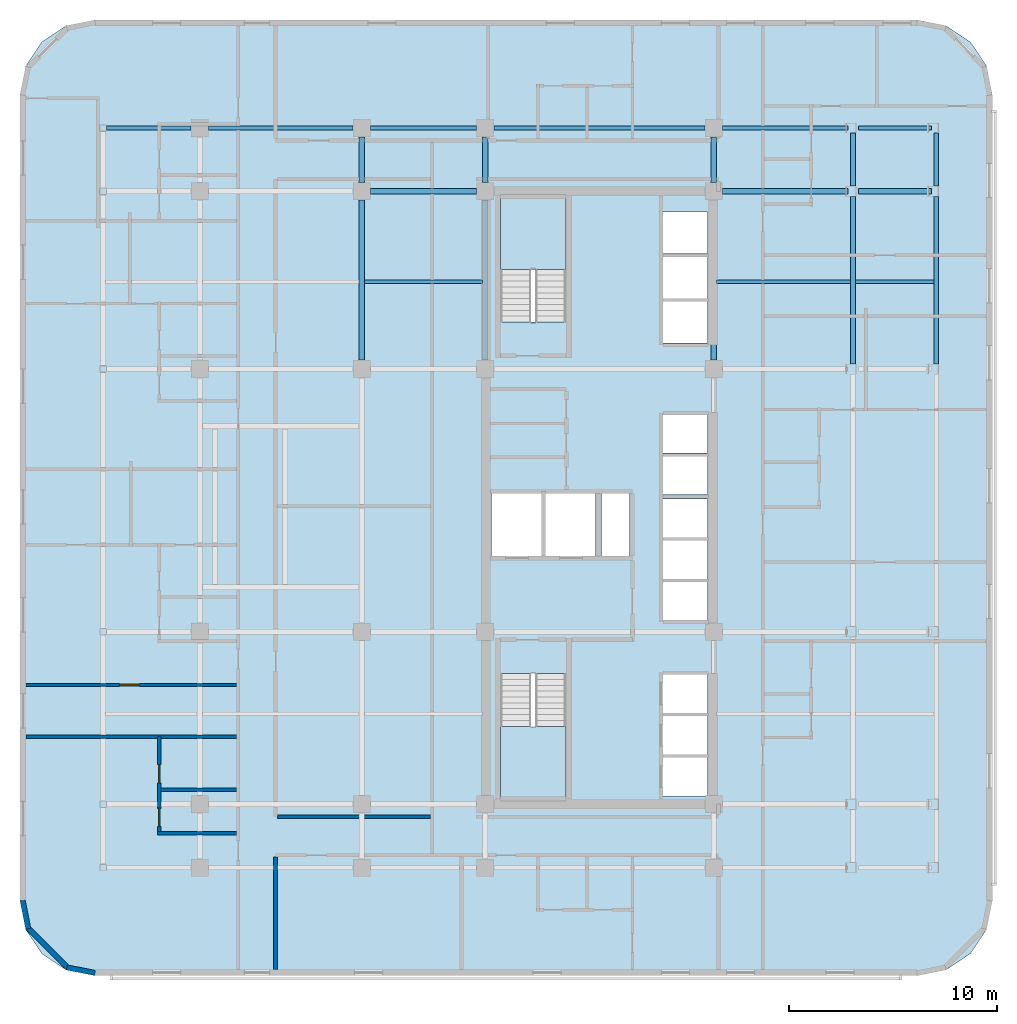
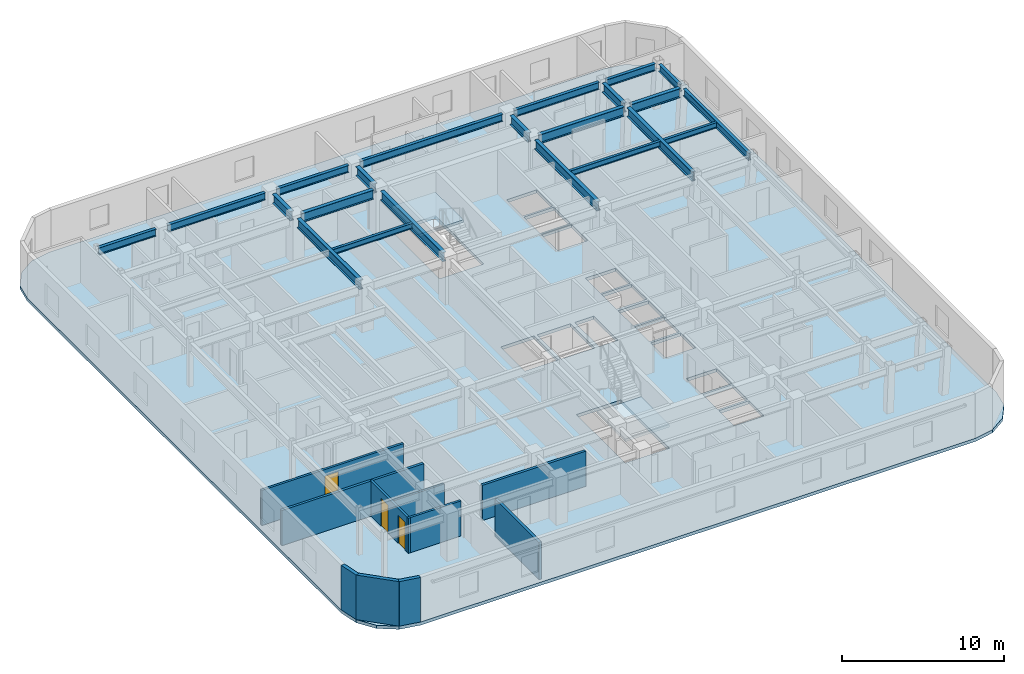
# One storey, part 5 of 14: 22 beams, 10 walls, 3 doors, 3 slabs, 3 openings, 2 elements without a shape of their own.
"""IFC4 building model written with IfcOpenShell, lengths in metres."""

from ifc_helpers import new_model, si_unit, direction, frame, frame_2d, origin, origin_2d, place, context, subcontext, project, spatial, polyline, rectangle, i_section, outline, extrude, material, layer, layer_set, material_profile, profile_set, type_object, element, fill, aggregate, save


model = new_model("IFC4")

# Units and contexts
model_context = context("Model", 3, precision=1e-05, world=origin(), true_north=direction((0.0, 1.0)))
body_context = subcontext(model_context, "Body", "Model", "MODEL_VIEW")
ifc_project = project(units=[si_unit("LENGTHUNIT", "METRE"), si_unit("AREAUNIT", "SQUARE_METRE"), si_unit("VOLUMEUNIT", "CUBIC_METRE"), si_unit("PLANEANGLEUNIT", "RADIAN"), si_unit("MASSUNIT", "GRAM", prefix="KILO")], contexts=[model_context])

# Site, building, storey
site_placement = place(None, origin())
site = spatial("IfcSite", under=ifc_project, at=site_placement, CompositionType="ELEMENT")
building_placement = place(site_placement, origin())
building = spatial("IfcBuilding", under=site, at=building_placement, Name="Ochreholt Gables", CompositionType="ELEMENT")
storey_placement = place(building_placement, frame((0.0, 0.0, 52.800048828125)))
storey = spatial("IfcBuildingStorey", under=building, at=storey_placement, Name="L13", CompositionType="ELEMENT", Elevation=52.800048828125)

# Beams
ifc_material_1 = material(Name="Steel CSA G40.21 350W", Category="steel")
ifc_material_profile_1 = material_profile(ifc_material_1, i_section(OverallWidth=0.256103515625, OverallDepth=0.693115234375, WebThickness=0.014404296875, FlangeThickness=0.023681640625, at=origin_2d()), Name="W690X170")
ifc_profile_set_1 = profile_set([ifc_material_profile_1], Name="Steel CSA G40.21 350W")
beam_type_1 = type_object("IfcBeamType", Name="BM-G-W690", PredefinedType="BEAM", material=ifc_profile_set_1)
beam_1_placement = place(storey_placement, frame((18.674560546875, 38.75, 3.013427734375), z_axis=(1.0, 0.0, 0.0), x_axis=(0.0, 1.0, 0.0)))
element("IfcBeam", 1, at=beam_1_placement, inside=storey, type_object=beam_type_1, Name="L13 Beam TBG-L13-W3C1-Y5", PredefinedType="BEAM", context=body_context, shape_type="SweptSolid", body=[
    extrude(i_section(OverallWidth=0.256103515625, OverallDepth=0.693115234375, WebThickness=0.014404296875, FlangeThickness=0.023681640625, at=origin_2d()), origin(), (0.0, 0.0, 1.0), 5.100830078125),
])
beam_2_placement = place(storey_placement, frame((35.62451171875, 38.75, 3.013427734375), z_axis=(1.0, 0.0, 0.0), x_axis=(0.0, 1.0, 0.0)))
element("IfcBeam", 2, at=beam_2_placement, inside=storey, type_object=beam_type_1, Name="L13 Beam TBG-L13-C2EM-Y5", PredefinedType="BEAM", context=body_context, shape_type="SweptSolid", body=[
    extrude(i_section(OverallWidth=0.256103515625, OverallDepth=0.693115234375, WebThickness=0.014404296875, FlangeThickness=0.023681640625, at=origin_2d()), origin(), (0.0, 0.0, 1.0), 6.035888671875),
])
beam_3_placement = place(storey_placement, frame((42.15966796875, 38.75, 3.013427734375), z_axis=(1.0, 0.0, 0.0), x_axis=(0.0, 1.0, 0.0)))
element("IfcBeam", 3, at=beam_3_placement, inside=storey, type_object=beam_type_1, Name="L13 Beam TBG-L13-EMEE-Y5", PredefinedType="BEAM", context=body_context, shape_type="SweptSolid", body=[
    extrude(i_section(OverallWidth=0.256103515625, OverallDepth=0.693115234375, WebThickness=0.014404296875, FlangeThickness=0.023681640625, at=origin_2d()), origin(), (0.0, 0.0, 1.0), 3.518798828125),
])
beam_4_placement = place(storey_placement, frame((18.25, 30.62451171875, 3.013427734375), z_axis=(0.0, 1.0, 0.0), x_axis=(-1.0, 0.0, 0.0)))
element("IfcBeam", 4, at=beam_4_placement, inside=storey, type_object=beam_type_1, Name="L13 Beam TBN-L13-W3-Y4Y5", PredefinedType="BEAM", context=body_context, shape_type="SweptSolid", body=[
    extrude(i_section(OverallWidth=0.256103515625, OverallDepth=0.693115234375, WebThickness=0.014404296875, FlangeThickness=0.023681640625, at=origin_2d()), origin(), (0.0, 0.0, 1.0), 7.700927734375),
])
beam_5_placement = place(storey_placement, frame((18.25, 39.174560546875, 3.013427734375), z_axis=(0.0, 1.0, 0.0), x_axis=(-1.0, 0.0, 0.0)))
element("IfcBeam", 5, at=beam_5_placement, inside=storey, type_object=beam_type_1, Name="L13 Beam TBN-L13-W3-Y5Y6", PredefinedType="BEAM", context=body_context, shape_type="SweptSolid", body=[
    extrude(i_section(OverallWidth=0.256103515625, OverallDepth=0.693115234375, WebThickness=0.014404296875, FlangeThickness=0.023681640625, at=origin_2d()), origin(), (0.0, 0.0, 1.0), 2.200927734375),
])
beam_6_placement = place(storey_placement, frame((24.199951171875, 30.62451171875, 3.013427734375), z_axis=(0.0, 1.0, 0.0), x_axis=(-1.0, 0.0, 0.0)))
element("IfcBeam", 6, at=beam_6_placement, inside=storey, type_object=beam_type_1, Name="L13 Beam TBN-L13-C1-Y4Y5", PredefinedType="BEAM", context=body_context, shape_type="SweptSolid", body=[
    extrude(i_section(OverallWidth=0.256103515625, OverallDepth=0.693115234375, WebThickness=0.014404296875, FlangeThickness=0.023681640625, at=origin_2d()), origin(), (0.0, 0.0, 1.0), 7.700927734375),
])
beam_7_placement = place(storey_placement, frame((24.199951171875, 39.174560546875, 3.013427734375), z_axis=(0.0, 1.0, 0.0), x_axis=(-1.0, 0.0, 0.0)))
element("IfcBeam", 7, at=beam_7_placement, inside=storey, type_object=beam_type_1, Name="L13 Beam TBN-L13-C1-Y5Y6", PredefinedType="BEAM", context=body_context, shape_type="SweptSolid", body=[
    extrude(i_section(OverallWidth=0.256103515625, OverallDepth=0.693115234375, WebThickness=0.014404296875, FlangeThickness=0.023681640625, at=origin_2d()), origin(), (0.0, 0.0, 1.0), 2.200927734375),
])
beam_8_placement = place(storey_placement, frame((35.199951171875, 30.62451171875, 3.013427734375), z_axis=(0.0, 1.0, 0.0), x_axis=(-1.0, 0.0, 0.0)))
element("IfcBeam", 8, at=beam_8_placement, inside=storey, type_object=beam_type_1, Name="L13 Beam TBN-L13-C2-Y4Y5", PredefinedType="BEAM", context=body_context, shape_type="SweptSolid", body=[
    extrude(i_section(OverallWidth=0.256103515625, OverallDepth=0.693115234375, WebThickness=0.014404296875, FlangeThickness=0.023681640625, at=origin_2d()), origin(), (0.0, 0.0, 1.0), 7.700927734375),
])
beam_9_placement = place(storey_placement, frame((35.199951171875, 39.174560546875, 3.013427734375), z_axis=(0.0, 1.0, 0.0), x_axis=(-1.0, 0.0, 0.0)))
element("IfcBeam", 9, at=beam_9_placement, inside=storey, type_object=beam_type_1, Name="L13 Beam TBN-L13-C2-Y5Y6", PredefinedType="BEAM", context=body_context, shape_type="SweptSolid", body=[
    extrude(i_section(OverallWidth=0.256103515625, OverallDepth=0.693115234375, WebThickness=0.014404296875, FlangeThickness=0.023681640625, at=origin_2d()), origin(), (0.0, 0.0, 1.0), 2.200927734375),
])
beam_10_placement = place(storey_placement, frame((41.892822265625, 30.44970703125, 3.013427734375), z_axis=(0.0, 1.0, 0.0), x_axis=(-1.0, 0.0, 0.0)))
element("IfcBeam", 10, at=beam_10_placement, inside=storey, type_object=beam_type_1, Name="L13 Beam TBN-L13-EM-Y4Y5", PredefinedType="BEAM", context=body_context, shape_type="SweptSolid", body=[
    extrude(i_section(OverallWidth=0.256103515625, OverallDepth=0.693115234375, WebThickness=0.014404296875, FlangeThickness=0.023681640625, at=origin_2d()), origin(), (0.0, 0.0, 1.0), 8.05078125),
])
beam_11_placement = place(storey_placement, frame((41.892822265625, 38.99951171875, 3.013427734375), z_axis=(0.0, 1.0, 0.0), x_axis=(-1.0, 0.0, 0.0)))
element("IfcBeam", 11, at=beam_11_placement, inside=storey, type_object=beam_type_1, Name="L13 Beam TBN-L13-EM-Y5Y6", PredefinedType="BEAM", context=body_context, shape_type="SweptSolid", body=[
    extrude(i_section(OverallWidth=0.256103515625, OverallDepth=0.693115234375, WebThickness=0.014404296875, FlangeThickness=0.023681640625, at=origin_2d()), origin(), (0.0, 0.0, 1.0), 2.55078125),
])
ifc_material_profile_2 = material_profile(ifc_material_1, i_section(OverallWidth=0.178955078125, OverallDepth=0.409912109375, WebThickness=0.0087890625, FlangeThickness=0.014404296875, at=origin_2d()), Name="W410X67")
ifc_profile_set_2 = profile_set([ifc_material_profile_2], Name="Steel CSA G40.21 350W")
beam_type_2 = type_object("IfcBeamType", Name="BM-J-W410", PredefinedType="JOIST", material=ifc_profile_set_2)
beam_12_placement = place(storey_placement, frame((18.377685546875, 34.39990234375, 3.155029296875), z_axis=(1.0, 0.0, 0.0), x_axis=(0.0, 1.0, 0.0)))
element("IfcBeam", 12, at=beam_12_placement, inside=storey, type_object=beam_type_2, Name="L13 Beam TBJ-L13-J2-W3C1", PredefinedType="JOIST", context=body_context, shape_type="SweptSolid", body=[
    extrude(i_section(OverallWidth=0.178955078125, OverallDepth=0.409912109375, WebThickness=0.0087890625, FlangeThickness=0.014404296875, at=origin_2d()), origin(), (0.0, 0.0, 1.0), 5.69482421875),
])
beam_13_placement = place(storey_placement, frame((35.32763671875, 34.39990234375, 3.155029296875), z_axis=(1.0, 0.0, 0.0), x_axis=(0.0, 1.0, 0.0)))
element("IfcBeam", 13, at=beam_13_placement, inside=storey, type_object=beam_type_2, Name="L13 Beam TBJ-L13-J2-C2EM", PredefinedType="JOIST", context=body_context, shape_type="SweptSolid", body=[
    extrude(i_section(OverallWidth=0.178955078125, OverallDepth=0.409912109375, WebThickness=0.0087890625, FlangeThickness=0.014404296875, at=origin_2d()), origin(), (0.0, 0.0, 1.0), 6.4375),
])
beam_14_placement = place(storey_placement, frame((42.0205078125, 34.39990234375, 3.155029296875), z_axis=(1.0, 0.0, 0.0), x_axis=(0.0, 1.0, 0.0)))
element("IfcBeam", 14, at=beam_14_placement, inside=storey, type_object=beam_type_2, Name="L13 Beam TBJ-L13-J2-EMEE", PredefinedType="JOIST", context=body_context, shape_type="SweptSolid", body=[
    extrude(i_section(OverallWidth=0.178955078125, OverallDepth=0.409912109375, WebThickness=0.0087890625, FlangeThickness=0.014404296875, at=origin_2d()), origin(), (0.0, 0.0, 1.0), 3.77490234375),
])
ifc_material_profile_3 = material_profile(ifc_material_1, i_section(OverallWidth=0.208984375, OverallDepth=0.532958984375, WebThickness=0.01025390625, FlangeThickness=0.015625, at=origin_2d()), Name="W530X92")
ifc_profile_set_3 = profile_set([ifc_material_profile_3], Name="Steel CSA G40.21 350W")
beam_type_3 = type_object("IfcBeamType", Name="BM-SP-W530B", PredefinedType="SPANDREL", material=ifc_profile_set_3)
beam_15_placement = place(storey_placement, frame((5.9521484375, 41.800048828125, 3.093505859375), z_axis=(1.0, 0.0, 0.0), x_axis=(0.0, 1.0, 0.0)))
element("IfcBeam", 15, at=beam_15_placement, inside=storey, type_object=beam_type_3, Name="L13 Beam TBG-L13-WTW2-Y6", PredefinedType="SPANDREL", context=body_context, shape_type="SweptSolid", body=[
    extrude(i_section(OverallWidth=0.208984375, OverallDepth=0.532958984375, WebThickness=0.01025390625, FlangeThickness=0.015625, at=origin_2d()), origin(), (0.0, 0.0, 1.0), 4.0732421875),
])
beam_16_placement = place(storey_placement, frame((10.87451171875, 41.800048828125, 3.093505859375), z_axis=(1.0, 0.0, 0.0), x_axis=(0.0, 1.0, 0.0)))
element("IfcBeam", 16, at=beam_16_placement, inside=storey, type_object=beam_type_3, Name="L13 Beam TBG-L13-W2W3-Y6", PredefinedType="SPANDREL", context=body_context, shape_type="SweptSolid", body=[
    extrude(i_section(OverallWidth=0.208984375, OverallDepth=0.532958984375, WebThickness=0.01025390625, FlangeThickness=0.015625, at=origin_2d()), origin(), (0.0, 0.0, 1.0), 6.950927734375),
])
beam_17_placement = place(storey_placement, frame((18.674560546875, 41.800048828125, 3.093505859375), z_axis=(1.0, 0.0, 0.0), x_axis=(0.0, 1.0, 0.0)))
element("IfcBeam", 17, at=beam_17_placement, inside=storey, type_object=beam_type_3, Name="L13 Beam TBG-L13-W3C1-Y6", PredefinedType="SPANDREL", context=body_context, shape_type="SweptSolid", body=[
    extrude(i_section(OverallWidth=0.208984375, OverallDepth=0.532958984375, WebThickness=0.01025390625, FlangeThickness=0.015625, at=origin_2d()), origin(), (0.0, 0.0, 1.0), 5.100830078125),
])
beam_18_placement = place(storey_placement, frame((24.62451171875, 41.800048828125, 3.093505859375), z_axis=(1.0, 0.0, 0.0), x_axis=(0.0, 1.0, 0.0)))
element("IfcBeam", 18, at=beam_18_placement, inside=storey, type_object=beam_type_3, Name="L13 Beam TBG-L13-C1C2-Y6", PredefinedType="SPANDREL", context=body_context, shape_type="SweptSolid", body=[
    extrude(i_section(OverallWidth=0.208984375, OverallDepth=0.532958984375, WebThickness=0.01025390625, FlangeThickness=0.015625, at=origin_2d()), origin(), (0.0, 0.0, 1.0), 10.15087890625),
])
beam_19_placement = place(storey_placement, frame((35.62451171875, 41.800048828125, 3.093505859375), z_axis=(1.0, 0.0, 0.0), x_axis=(0.0, 1.0, 0.0)))
element("IfcBeam", 19, at=beam_19_placement, inside=storey, type_object=beam_type_3, Name="L13 Beam TBG-L13-C2EM-Y6", PredefinedType="SPANDREL", context=body_context, shape_type="SweptSolid", body=[
    extrude(i_section(OverallWidth=0.208984375, OverallDepth=0.532958984375, WebThickness=0.01025390625, FlangeThickness=0.015625, at=origin_2d()), origin(), (0.0, 0.0, 1.0), 6.035888671875),
])
beam_20_placement = place(storey_placement, frame((42.15966796875, 41.800048828125, 3.093505859375), z_axis=(1.0, 0.0, 0.0), x_axis=(0.0, 1.0, 0.0)))
element("IfcBeam", 20, at=beam_20_placement, inside=storey, type_object=beam_type_3, Name="L13 Beam TBG-L13-EMEE-Y6", PredefinedType="SPANDREL", context=body_context, shape_type="SweptSolid", body=[
    extrude(i_section(OverallWidth=0.208984375, OverallDepth=0.532958984375, WebThickness=0.01025390625, FlangeThickness=0.015625, at=origin_2d()), origin(), (0.0, 0.0, 1.0), 3.518798828125),
])
beam_21_placement = place(storey_placement, frame((45.899658203125, 30.44970703125, 3.093505859375), z_axis=(0.0, 1.0, 0.0), x_axis=(-1.0, 0.0, 0.0)))
element("IfcBeam", 21, at=beam_21_placement, inside=storey, type_object=beam_type_3, Name="L13 Beam TBN-L13-EE-Y4Y5", PredefinedType="SPANDREL", context=body_context, shape_type="SweptSolid", body=[
    extrude(i_section(OverallWidth=0.208984375, OverallDepth=0.532958984375, WebThickness=0.01025390625, FlangeThickness=0.015625, at=origin_2d()), origin(), (0.0, 0.0, 1.0), 8.05078125),
])
beam_22_placement = place(storey_placement, frame((45.899658203125, 38.99951171875, 3.093505859375), z_axis=(0.0, 1.0, 0.0), x_axis=(-1.0, 0.0, 0.0)))
element("IfcBeam", 22, at=beam_22_placement, inside=storey, type_object=beam_type_3, Name="L13 Beam TBN-L13-EE-Y5Y6", PredefinedType="SPANDREL", context=body_context, shape_type="SweptSolid", body=[
    extrude(i_section(OverallWidth=0.208984375, OverallDepth=0.532958984375, WebThickness=0.01025390625, FlangeThickness=0.015625, at=origin_2d()), origin(), (0.0, 0.0, 1.0), 2.55078125),
])

# Stair, slab
ifc_material_2 = material(Name="Concrete 40 MPa", Category="concrete")
stair_type_1 = type_object("IfcStairType", Name="STAIR-CORE-ST-1", PredefinedType="HALF_TURN_STAIR", material=ifc_material_2)
stair_1_placement = place(storey_placement, origin())
stair_1 = element("IfcStair", 23, at=stair_1_placement, inside=storey, type_object=stair_type_1, Name="L13 Core Exit Stair 1", PredefinedType="HALF_TURN_STAIR")
ifc_layer_1 = layer(ifc_material_2, 0.199951171875, Name="Concrete 40 MPa")
ifc_layer_set_1 = layer_set([ifc_layer_1], Name="Concrete 40 MPa")
slab_type_1 = type_object("IfcSlabType", Name="LANDING-RC200", PredefinedType="LANDING", material=ifc_layer_set_1)
slab_1_placement = place(storey_placement, frame((0.0, 0.0, 1.599853515625)))
slab_1 = element("IfcSlab", 24, at=slab_1_placement, type_object=slab_type_1, Name="ST-1 landing 1", PredefinedType="LANDING", context=body_context, shape_type="SweptSolid", body=[
    extrude(outline(polyline([(24.919921875, 13.001953125), (24.919921875, 9.52001953125), (28.080078125, 9.52001953125), (28.080078125, 13.001953125), (24.919921875, 13.001953125)])), origin(), (0.0, 0.0, 1.0), 0.2001953125),
])
aggregate(stair_1, [slab_1])

stair_type_2 = type_object("IfcStairType", Name="STAIR-CORE-ST-2", PredefinedType="HALF_TURN_STAIR", material=ifc_material_2)
stair_2_placement = place(storey_placement, origin())
stair_2 = element("IfcStair", 25, at=stair_2_placement, inside=storey, type_object=stair_type_2, Name="L13 Core Exit Stair 2", PredefinedType="HALF_TURN_STAIR")
slab_2_placement = place(storey_placement, frame((0.0, 0.0, 1.599853515625)))
slab_2 = element("IfcSlab", 26, at=slab_2_placement, type_object=slab_type_1, Name="ST-2 landing 1", PredefinedType="LANDING", context=body_context, shape_type="SweptSolid", body=[
    extrude(outline(polyline([(28.080078125, 34.998046875), (28.080078125, 38.47998046875), (24.919921875, 38.47998046875), (24.919921875, 34.998046875), (28.080078125, 34.998046875)])), origin(), (0.0, 0.0, 1.0), 0.2001953125),
])
aggregate(stair_2, [slab_2])

# Slab
ifc_layer_2 = layer(ifc_material_2, 0.239990234375, Name="Concrete 40 MPa")
ifc_layer_set_2 = layer_set([ifc_layer_2], Name="Concrete 40 MPa")
slab_type_2 = type_object("IfcSlabType", Name="SLAB-TWR-240", PredefinedType="FLOOR", material=ifc_layer_set_2)
slab_3_placement = place(storey_placement, frame((0.0, 0.0, -0.239990234375)))
element("IfcSlab", 27, at=slab_3_placement, inside=storey, type_object=slab_type_2, Name="L13 Structural Floor Slab", PredefinedType="FLOOR", context=body_context, shape_type="SweptSolid", body=[
    extrude(outline(polyline([(1.800048828125, 4.60009765625), (2.073974609375, 3.222412109375), (2.8544921875, 2.054443359375), (4.022216796875, 1.27392578125), (5.39990234375, 1.0), (45.0, 1.0), (46.377685546875, 1.27392578125), (47.545654296875, 2.054443359375), (48.325927734375, 3.222412109375), (48.60009765625, 4.60009765625), (48.60009765625, 43.39990234375), (48.325927734375, 44.777587890625), (47.545654296875, 45.945556640625), (46.377685546875, 46.72607421875), (45.0, 47.0), (5.39990234375, 47.0), (4.022216796875, 46.72607421875), (2.8544921875, 45.945556640625), (2.073974609375, 44.777587890625), (1.800048828125, 43.39990234375), (1.800048828125, 4.60009765625)]), holes=[polyline([(24.919921875, 15.539306640625), (24.919921875, 9.52001953125), (28.080078125, 9.52001953125), (28.080078125, 15.539306640625), (24.919921875, 15.539306640625)]), polyline([(28.080078125, 32.460693359375), (28.080078125, 38.47998046875), (24.919921875, 38.47998046875), (24.919921875, 32.460693359375), (28.080078125, 32.460693359375)]), polyline([(24.5, 21.199951171875), (26.89990234375, 21.199951171875), (26.89990234375, 24.199951171875), (24.5, 24.199951171875), (24.5, 21.199951171875)]), polyline([(27.10009765625, 21.199951171875), (29.5, 21.199951171875), (29.5, 24.199951171875), (27.10009765625, 24.199951171875), (27.10009765625, 21.199951171875)]), polyline([(32.75, 9.64990234375), (34.89990234375, 9.64990234375), (34.89990234375, 11.5), (32.75, 11.5), (32.75, 9.64990234375)]), polyline([(32.75, 11.64990234375), (34.89990234375, 11.64990234375), (34.89990234375, 13.5), (32.75, 13.5), (32.75, 11.64990234375)]), polyline([(32.75, 13.64990234375), (34.89990234375, 13.64990234375), (34.89990234375, 15.5), (32.75, 15.5), (32.75, 13.64990234375)]), polyline([(32.75, 18.10009765625), (34.89990234375, 18.10009765625), (34.89990234375, 19.949951171875), (32.75, 19.949951171875), (32.75, 18.10009765625)]), polyline([(32.75, 20.10009765625), (34.89990234375, 20.10009765625), (34.89990234375, 21.949951171875), (32.75, 21.949951171875), (32.75, 20.10009765625)]), polyline([(32.75, 22.10009765625), (34.89990234375, 22.10009765625), (34.89990234375, 23.949951171875), (32.75, 23.949951171875), (32.75, 22.10009765625)]), polyline([(32.75, 24.14990234375), (34.89990234375, 24.14990234375), (34.89990234375, 26.0), (32.75, 26.0), (32.75, 24.14990234375)]), polyline([(32.75, 26.14990234375), (34.89990234375, 26.14990234375), (34.89990234375, 28.0), (32.75, 28.0), (32.75, 26.14990234375)]), polyline([(32.75, 31.449951171875), (34.89990234375, 31.449951171875), (34.89990234375, 33.449951171875), (32.75, 33.449951171875), (32.75, 31.449951171875)]), polyline([(32.75, 33.60009765625), (34.89990234375, 33.60009765625), (34.89990234375, 35.60009765625), (32.75, 35.60009765625), (32.75, 33.60009765625)]), polyline([(32.75, 35.75), (34.89990234375, 35.75), (34.89990234375, 37.75), (32.75, 37.75), (32.75, 35.75)]), polyline([(29.800048828125, 21.199951171875), (31.14990234375, 21.199951171875), (31.14990234375, 24.199951171875), (29.800048828125, 24.199951171875), (29.800048828125, 21.199951171875)])]), origin(), (0.0, 0.0, 1.0), 0.239990234375),
])

# Walls
ifc_material_3 = material(Name="Precast concrete 40 MPa", Category="concrete")
ifc_layer_3 = layer(ifc_material_3, 0.25, Name="Precast concrete 40 MPa")
ifc_layer_set_3 = layer_set([ifc_layer_3], Name="Precast concrete 40 MPa")
wall_type_1 = type_object("IfcWallType", Name="WALL-EXT-CNR", PredefinedType="SOLIDWALL", material=ifc_layer_set_3)
wall_1_placement = place(storey_placement, frame((1.92431640625, 4.616455078125, 0.0), z_axis=(0.0, 0.0, 1.0), x_axis=(0.19496651342, -0.980809899341, 0.0)))
element("IfcWall", 28, at=wall_1_placement, inside=storey, type_object=wall_type_1, Name="L13 Rounded Corner Wall SW-1", PredefinedType="SOLIDWALL", context=body_context, shape_type="SweptSolid", body=[
    extrude(rectangle(XDim=1.388671875, YDim=0.25, at=frame_2d((0.6943359375, 0.0))), origin(), (0.0, 0.0, 1.0), 3.35986328125),
])
wall_2_placement = place(storey_placement, frame((2.16796875, 3.304931640625, 0.0), z_axis=(0.0, 0.0, 1.0), x_axis=(0.707106781187, -0.707106781187, 0.0)))
element("IfcWall", 29, at=wall_2_placement, inside=storey, type_object=wall_type_1, Name="L13 Rounded Corner Wall SW-2", PredefinedType="SOLIDWALL", context=body_context, shape_type="SweptSolid", body=[
    extrude(rectangle(XDim=2.7392578125, YDim=0.25, at=frame_2d((1.36962890625, 0.0))), origin(), (0.0, 0.0, 1.0), 3.35986328125),
])
wall_3_placement = place(storey_placement, frame((4.054443359375, 1.39501953125, 0.0), z_axis=(0.0, 0.0, 1.0), x_axis=(0.980809899341, -0.19496651342, 0.0)))
element("IfcWall", 30, at=wall_3_placement, inside=storey, type_object=wall_type_1, Name="L13 Rounded Corner Wall SW-3", PredefinedType="SOLIDWALL", context=body_context, shape_type="SweptSolid", body=[
    extrude(rectangle(XDim=1.388671875, YDim=0.25, at=frame_2d((0.6943359375, 0.0))), origin(), (0.0, 0.0, 1.0), 3.35986328125),
])
ifc_material_4 = material(Name="Fire-Rated Gypsum Acoustic Partition", Category="gypsum")
ifc_layer_4 = layer(ifc_material_4, 0.179931640625, Name="Fire-Rated Gypsum Acoustic Partition")
ifc_layer_set_4 = layer_set([ifc_layer_4], Name="Fire-Rated Gypsum Acoustic Partition")
wall_type_2 = type_object("IfcWallType", Name="WALL-INT-CR180", PredefinedType="STANDARD", material=ifc_layer_set_4)
wall_4_placement = place(storey_placement, frame((14.18994140625, 8.64990234375, 0.0), z_axis=(0.0, 0.0, 1.0), x_axis=(1.0, 0.0, 0.0)))
element("IfcWall", 31, at=wall_4_placement, inside=storey, type_object=wall_type_2, Name="L13 Interior Wall WI-C1S2W-L13", PredefinedType="STANDARD", context=body_context, shape_type="SweptSolid", body=[
    extrude(rectangle(XDim=7.3701171875, YDim=0.179931640625, at=frame_2d((3.68505859375, 0.0))), origin(), (0.0, 0.0, 1.0), 2.64892578125),
])
ifc_material_5 = material(Name="Double-Stud Acoustic Demising Wall", Category="gypsum")
ifc_layer_5 = layer(ifc_material_5, 0.179931640625, Name="Double-Stud Acoustic Demising Wall")
ifc_layer_set_5 = layer_set([ifc_layer_5], Name="Double-Stud Acoustic Demising Wall")
wall_type_3 = type_object("IfcWallType", Name="WALL-INT-DM180", PredefinedType="PARTITIONING", material=ifc_layer_set_5)
wall_5_placement = place(storey_placement, frame((14.10009765625, 1.2900390625, 0.0), z_axis=(0.0, 0.0, 1.0), x_axis=(0.0, 1.0, 0.0)))
element("IfcWall", 32, at=wall_5_placement, inside=storey, type_object=wall_type_3, Name="L13 Interior Wall WI-C1WSI-L13", PredefinedType="PARTITIONING", context=body_context, shape_type="SweptSolid", body=[
    extrude(rectangle(XDim=5.419921875, YDim=0.179931640625, at=frame_2d((2.7099609375, 0.0))), origin(), (0.0, 0.0, 1.0), 2.808837890625),
])
wall_6_placement = place(storey_placement, frame((2.090087890625, 12.5, 0.0), z_axis=(0.0, 0.0, 1.0), x_axis=(1.0, 0.0, 0.0)))
element("IfcWall", 33, at=wall_6_placement, inside=storey, type_object=wall_type_3, Name="L13 Interior Wall WI-UDW2-L13", PredefinedType="PARTITIONING", context=body_context, shape_type="SweptSolid", body=[
    extrude(rectangle(XDim=10.119873046875, YDim=0.179931640625, at=frame_2d((5.06005859375, 0.0))), origin(), (0.0, 0.0, 1.0), 2.64892578125),
])
ifc_material_6 = material(Name="Moisture-Resistant Plumbing Chase Wall", Category="gypsum")
ifc_layer_6 = layer(ifc_material_6, 0.159912109375, Name="Moisture-Resistant Plumbing Chase Wall")
ifc_layer_set_6 = layer_set([ifc_layer_6], Name="Moisture-Resistant Plumbing Chase Wall")
wall_type_4 = type_object("IfcWallType", Name="WALL-INT-PL160", PredefinedType="PLUMBINGWALL", material=ifc_layer_set_6)
wall_7_placement = place(storey_placement, frame((8.429931640625, 7.860107421875, 0.0), z_axis=(0.0, 0.0, 1.0), x_axis=(1.0, 0.0, 0.0)))
element("IfcWall", 34, at=wall_7_placement, inside=storey, type_object=wall_type_4, Name="L13 Interior Wall WU-L13W1-WYS", PredefinedType="PLUMBINGWALL", context=body_context, shape_type="SweptSolid", body=[
    extrude(rectangle(XDim=3.780029296875, YDim=0.159912109375, at=frame_2d((1.89013671875, 0.0))), origin(), (0.0, 0.0, 1.0), 2.64892578125),
])

# Wall, openings, doors
wall_8_placement = place(storey_placement, frame((8.510009765625, 7.77001953125, 0.0), z_axis=(0.0, 0.0, 1.0), x_axis=(0.0, 1.0, 0.0)))
wall_8 = element("IfcWall", 35, at=wall_8_placement, inside=storey, type_object=wall_type_4, Name="L13 Interior Wall WU-L13W1-WX", PredefinedType="PLUMBINGWALL", context=body_context, shape_type="SweptSolid", body=[
    extrude(rectangle(XDim=4.72998046875, YDim=0.159912109375, at=frame_2d((2.364990234375, 0.0))), origin(), (0.0, 0.0, 1.0), 2.64892578125),
])
opening_1_placement = place(wall_8_placement, frame((0.419921875, 0.0, 0.0)))
opening_1 = element("IfcOpeningElement", 36, at=opening_1_placement, cuts=wall_8, Name="Opening D-BT1", PredefinedType="OPENING", context=body_context, shape_type="SweptSolid", body=[
    extrude(rectangle(XDim=0.860107421875, YDim=2.1201171875, at=frame_2d((0.43017578125, 1.06005859375))), frame((0.0, 0.08984375, 0.0), z_axis=(0.0, -1.0, 0.0), x_axis=(1.0, 0.0, 0.0)), (0.0, 0.0, 1.0), 0.179931640625),
])
opening_2_placement = place(wall_8_placement, frame((2.512939453125, 0.0, 0.0)))
opening_2 = element("IfcOpeningElement", 37, at=opening_2_placement, cuts=wall_8, Name="Opening D-GN2", PredefinedType="OPENING", context=body_context, shape_type="SweptSolid", body=[
    extrude(rectangle(XDim=0.8798828125, YDim=2.1201171875, at=frame_2d((0.43994140625, 1.06005859375))), frame((0.0, 0.08984375, 0.0), z_axis=(0.0, -1.0, 0.0), x_axis=(1.0, 0.0, 0.0)), (0.0, 0.0, 1.0), 0.179931640625),
])
ifc_material_7 = material(Name="Engineered Oak Timber", Category="wood")
door_type_1 = type_object("IfcDoorType", Name="DR-INT-BTH860", OperationType="NOTDEFINED", PredefinedType="DOOR", material=ifc_material_7)
door_1_placement = place(opening_1_placement, origin())
door_1 = element("IfcDoor", 38, at=door_1_placement, inside=storey, type_object=door_type_1, Name="L13 Door D-U-L13W1-BTH", OperationType="SINGLE_SWING_RIGHT", OverallHeight=2.1201171875, OverallWidth=0.860107421875, PredefinedType="DOOR", context=body_context, shape_type="SweptSolid", body=[
    extrude(rectangle(XDim=0.860107421875, YDim=2.1201171875, at=frame_2d((0.43017578125, 1.06005859375))), frame((0.0, 0.02490234375, 0.0), z_axis=(0.0, -1.0, 0.0), x_axis=(1.0, 0.0, 0.0)), (0.0, 0.0, 1.0), 0.050048828125),
])
fill(opening_1, door_1)
door_type_2 = type_object("IfcDoorType", Name="DR-INT-GEN880", OperationType="NOTDEFINED", PredefinedType="DOOR", material=ifc_material_7)
door_2_placement = place(opening_2_placement, origin())
door_2 = element("IfcDoor", 39, at=door_2_placement, inside=storey, type_object=door_type_2, Name="L13 Door D-U-L13W1-KIT", OperationType="SINGLE_SWING_LEFT", OverallHeight=2.1201171875, OverallWidth=0.8798828125, PredefinedType="DOOR", context=body_context, shape_type="SweptSolid", body=[
    extrude(rectangle(XDim=0.8798828125, YDim=2.1201171875, at=frame_2d((0.43994140625, 1.06005859375))), frame((0.0, 0.02490234375, 0.0), z_axis=(0.0, -1.0, 0.0), x_axis=(1.0, 0.0, 0.0)), (0.0, 0.0, 1.0), 0.050048828125),
])
fill(opening_2, door_2)

# Wall
wall_9_placement = place(storey_placement, frame((8.590087890625, 9.952880859375, 0.0), z_axis=(0.0, 0.0, 1.0), x_axis=(1.0, 0.0, 0.0)))
element("IfcWall", 40, at=wall_9_placement, inside=storey, type_object=wall_type_4, Name="L13 Interior Wall WU-L13W1-WM", PredefinedType="PLUMBINGWALL", context=body_context, shape_type="SweptSolid", body=[
    extrude(rectangle(XDim=3.619873046875, YDim=0.159912109375, at=frame_2d((1.81005859375, 0.0))), origin(), (0.0, 0.0, 1.0), 2.64892578125),
])

# Wall, opening, door
ifc_material_8 = material(Name="Gypsum Acoustic Stud Partition", Category="gypsum")
ifc_layer_7 = layer(ifc_material_8, 0.159912109375, Name="Gypsum Acoustic Stud Partition")
ifc_layer_set_7 = layer_set([ifc_layer_7], Name="Gypsum Acoustic Stud Partition")
wall_type_5 = type_object("IfcWallType", Name="WALL-INT-PT160", PredefinedType="PARTITIONING", material=ifc_layer_set_7)
wall_10_placement = place(storey_placement, frame((2.090087890625, 14.989990234375, 0.0), z_axis=(0.0, 0.0, 1.0), x_axis=(1.0, 0.0, 0.0)))
wall_10 = element("IfcWall", 41, at=wall_10_placement, inside=storey, type_object=wall_type_5, Name="L13 Interior Wall WU-L13W2-DNW", PredefinedType="PARTITIONING", context=body_context, shape_type="SweptSolid", body=[
    extrude(rectangle(XDim=10.119873046875, YDim=0.159912109375, at=frame_2d((5.06005859375, 0.0))), origin(), (0.0, 0.0, 1.0), 2.64892578125),
])
opening_3_placement = place(wall_10_placement, frame((4.510009765625, 0.0, 0.0)))
opening_3 = element("IfcOpeningElement", 42, at=opening_3_placement, cuts=wall_10, Name="Opening D-GN1", PredefinedType="OPENING", context=body_context, shape_type="SweptSolid", body=[
    extrude(rectangle(XDim=0.949951171875, YDim=2.14990234375, at=frame_2d((0.47509765625, 1.074951171875))), frame((0.0, 0.08984375, 0.0), z_axis=(0.0, -1.0, 0.0), x_axis=(1.0, 0.0, 0.0)), (0.0, 0.0, 1.0), 0.179931640625),
])
door_type_3 = type_object("IfcDoorType", Name="DR-INT-GEN950", OperationType="NOTDEFINED", PredefinedType="DOOR", material=ifc_material_7)
door_3_placement = place(opening_3_placement, origin())
door_3 = element("IfcDoor", 43, at=door_3_placement, inside=storey, type_object=door_type_3, Name="L13 Door D-U-L13W2-DIN", OperationType="SINGLE_SWING_LEFT", OverallHeight=2.14990234375, OverallWidth=0.949951171875, PredefinedType="DOOR", context=body_context, shape_type="SweptSolid", body=[
    extrude(rectangle(XDim=0.949951171875, YDim=2.14990234375, at=frame_2d((0.47509765625, 1.074951171875))), frame((0.0, 0.02490234375, 0.0), z_axis=(0.0, -1.0, 0.0), x_axis=(1.0, 0.0, 0.0)), (0.0, 0.0, 1.0), 0.050048828125),
])
fill(opening_3, door_3)

save(model, "model.ifc")
